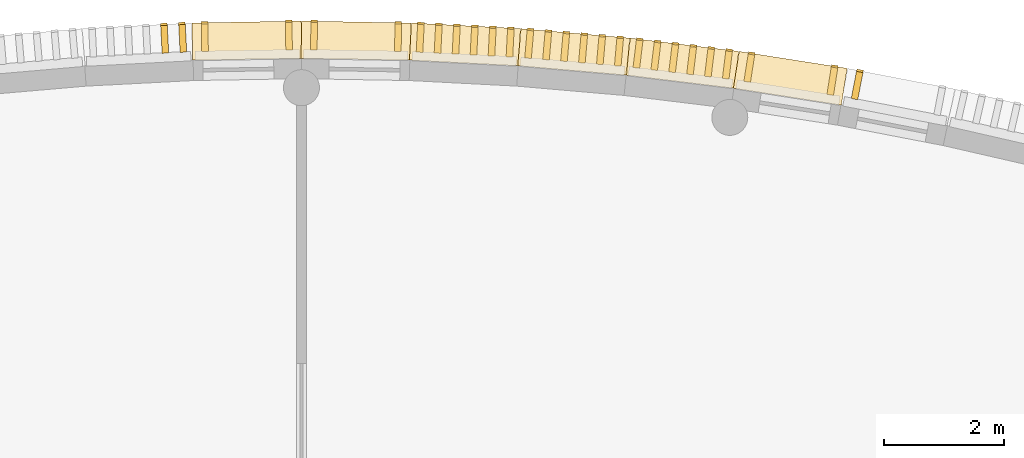
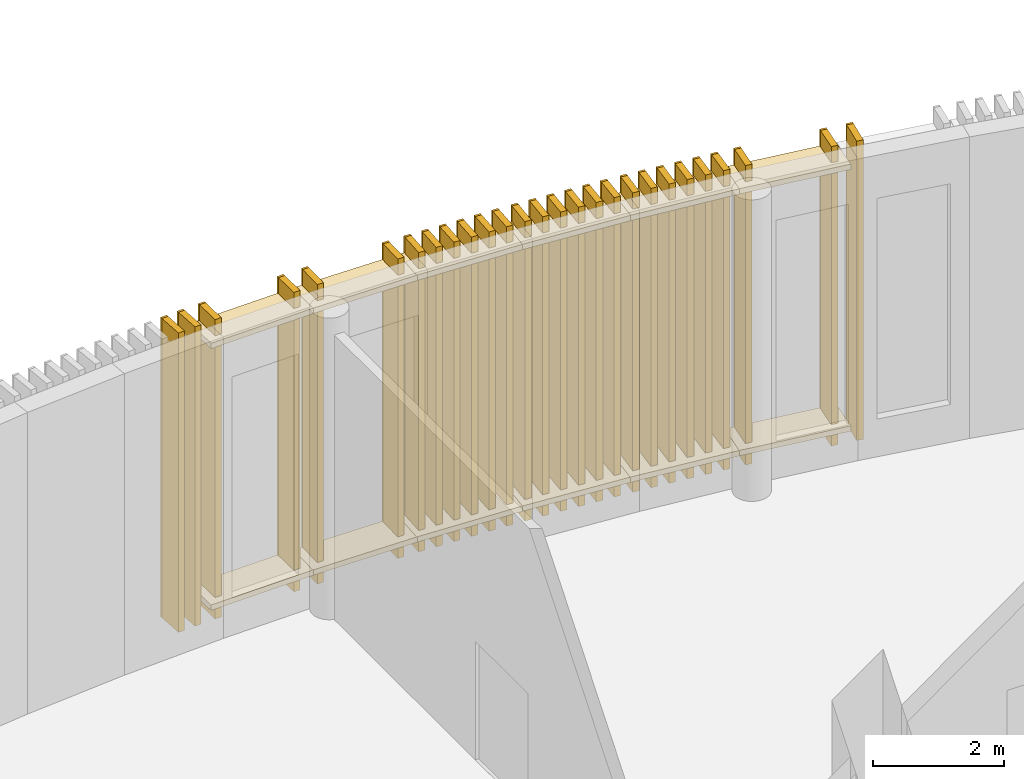
# One storey, part 73 of 80: 39 coverings, 27 shading devices.
"""IFC4 building model written with IfcOpenShell, lengths in metres."""

from ifc_helpers import new_model, si_unit, direction, frame, origin, origin_2d, place, context, subcontext, project, spatial, rectangle, extrude, material, layer, layer_set, type_object, element, save


model = new_model("IFC4")

# Units and contexts
model_context = context("Model", 3, precision=1e-05, world=origin(), true_north=direction((0.0, 1.0)))
body_context = subcontext(model_context, "Body", "Model", "MODEL_VIEW")
ifc_project = project(units=[si_unit("LENGTHUNIT", "METRE"), si_unit("AREAUNIT", "SQUARE_METRE"), si_unit("VOLUMEUNIT", "CUBIC_METRE"), si_unit("PLANEANGLEUNIT", "RADIAN"), si_unit("MASSUNIT", "GRAM", prefix="KILO")], contexts=[model_context])

# Site, building, storey
site_placement = place(None, origin())
site = spatial("IfcSite", under=ifc_project, at=site_placement, CompositionType="ELEMENT")
building_placement = place(site_placement, origin())
building = spatial("IfcBuilding", under=site, at=building_placement, Name="Sardonyx Promenade Sports Hall", CompositionType="ELEMENT")
storey_placement = place(building_placement, frame((0.0, 0.0, 5.60009765625)))
storey = spatial("IfcBuildingStorey", under=building, at=storey_placement, Name="L01", CompositionType="ELEMENT", Elevation=5.60009765625)

# Coverings
ifc_material_1 = material(Name="Glulam GL28h", Category="wood")
ifc_layer = layer(ifc_material_1, 0.110107421875)
ifc_layer_set = layer_set([ifc_layer], Name="Cov_Louvre_GL28h")
covering_type = type_object("IfcCoveringType", Name="Cov_Louvre_GL28h", PredefinedType="MOLDING", material=ifc_layer_set)
for number, where, z_axis, x_axis, name in (
    (1, (51.7099609375, 115.934326171875, 0.019775390625), (0.0, 0.0, 1.0), (0.998652184976, 0.051901959917, 0.0), "Timber louvre nose molding L01 CH13 #5"),
    (2, (52.009521484375, 115.949951171875, 0.019775390625), (0.0, 0.0, 1.0), (0.998652184976, 0.051901959917, 0.0), "Timber louvre nose molding L01 CH13 #6"),
):
    element("IfcCovering", number, at=place(storey_placement, frame(where, z_axis=z_axis, x_axis=x_axis)), inside=storey, type_object=covering_type, Name=name, PredefinedType="MOLDING", context=body_context, shape_type="SweptSolid", body=[
        extrude(rectangle(XDim=0.110107421875, YDim=0.0400390625, at=origin_2d()), origin(), (0.0, 0.0, 1.0), 5.56005859375),
    ])
for number, where, z_axis, x_axis, name in (
    (3, (53.091796875, 115.664306640625, 0.31982421875), (0.0, 0.0, 1.0), (0.999850212862, 0.01730756599, 0.0), "Bowed louvre carrier rail L01 CH14 #1"),
    (4, (53.091796875, 115.664306640625, 5.179931640625), (0.0, 0.0, 1.0), (0.999850212862, 0.01730756599, 0.0), "Bowed louvre carrier rail L01 CH14 #2"),
):
    element("IfcCovering", number, at=place(storey_placement, frame(where, z_axis=z_axis, x_axis=x_axis)), inside=storey, type_object=covering_type, Name=name, PredefinedType="MOLDING", context=body_context, shape_type="SweptSolid", body=[
        extrude(rectangle(XDim=1.820068359375, YDim=0.6201171875, at=origin_2d()), origin(), (0.0, 0.0, 1.0), 0.10009765625),
    ])
for number, where, z_axis, x_axis, name in (
    (5, (52.386474609375, 115.962158203125, 0.019775390625), (0.0, 0.0, 1.0), (0.999850212862, 0.01730756599, 0.0), "Timber louvre nose molding L01 CH14 #1"),
    (6, (53.786376953125, 115.986328125, 0.019775390625), (0.0, 0.0, 1.0), (0.999850212862, 0.01730756599, 0.0), "Timber louvre nose molding L01 CH14 #2"),
):
    element("IfcCovering", number, at=place(storey_placement, frame(where, z_axis=z_axis, x_axis=x_axis)), inside=storey, type_object=covering_type, Name=name, PredefinedType="MOLDING", context=body_context, shape_type="SweptSolid", body=[
        extrude(rectangle(XDim=0.110107421875, YDim=0.0400390625, at=origin_2d()), origin(), (0.0, 0.0, 1.0), 5.56005859375),
    ])
for number, where, z_axis, x_axis, name in (
    (7, (54.908203125, 115.664306640625, 0.31982421875), (0.0, 0.0, 1.0), (0.999850212862, -0.01730756599, 0.0), "Bowed louvre carrier rail L01 CH15 #1"),
    (8, (54.908203125, 115.664306640625, 5.179931640625), (0.0, 0.0, 1.0), (0.999850212862, -0.01730756599, 0.0), "Bowed louvre carrier rail L01 CH15 #2"),
):
    element("IfcCovering", number, at=place(storey_placement, frame(where, z_axis=z_axis, x_axis=x_axis)), inside=storey, type_object=covering_type, Name=name, PredefinedType="MOLDING", context=body_context, shape_type="SweptSolid", body=[
        extrude(rectangle(XDim=1.820068359375, YDim=0.6201171875, at=origin_2d()), origin(), (0.0, 0.0, 1.0), 0.10009765625),
    ])
for number, where, z_axis, x_axis, name in (
    (9, (54.213623046875, 115.986328125, 0.019775390625), (0.0, 0.0, 1.0), (0.999850212862, -0.01730756599, 0.0), "Timber louvre nose molding L01 CH15 #1"),
    (10, (55.613525390625, 115.962158203125, 0.019775390625), (0.0, 0.0, 1.0), (0.999850212862, -0.01730756599, 0.0), "Timber louvre nose molding L01 CH15 #2"),
):
    element("IfcCovering", number, at=place(storey_placement, frame(where, z_axis=z_axis, x_axis=x_axis)), inside=storey, type_object=covering_type, Name=name, PredefinedType="MOLDING", context=body_context, shape_type="SweptSolid", body=[
        extrude(rectangle(XDim=0.110107421875, YDim=0.0400390625, at=origin_2d()), origin(), (0.0, 0.0, 1.0), 5.56005859375),
    ])
for number, where, z_axis, x_axis, name in (
    (11, (56.723388671875, 115.6015625, 0.31982421875), (0.0, 0.0, 1.0), (0.998652184976, -0.051901959917, 0.0), "Bowed louvre carrier rail L01 CH16 #1"),
    (12, (56.723388671875, 115.6015625, 5.179931640625), (0.0, 0.0, 1.0), (0.998652184976, -0.051901959917, 0.0), "Bowed louvre carrier rail L01 CH16 #2"),
):
    element("IfcCovering", number, at=place(storey_placement, frame(where, z_axis=z_axis, x_axis=x_axis)), inside=storey, type_object=covering_type, Name=name, PredefinedType="MOLDING", context=body_context, shape_type="SweptSolid", body=[
        extrude(rectangle(XDim=1.820068359375, YDim=0.6201171875, at=origin_2d()), origin(), (0.0, 0.0, 1.0), 0.10009765625),
    ])
for number, where, z_axis, x_axis, name in (
    (13, (55.990478515625, 115.949951171875, 0.019775390625), (0.0, 0.0, 1.0), (0.998652184976, -0.051901959917, 0.0), "Timber louvre nose molding L01 CH16 #1"),
    (14, (56.2900390625, 115.934326171875, 0.019775390625), (0.0, 0.0, 1.0), (0.998652184976, -0.051901959917, 0.0), "Timber louvre nose molding L01 CH16 #2"),
    (15, (56.58984375, 115.9189453125, 0.019775390625), (0.0, 0.0, 1.0), (0.998652184976, -0.051901959917, 0.0), "Timber louvre nose molding L01 CH16 #3"),
    (16, (56.889404296875, 115.9033203125, 0.019775390625), (0.0, 0.0, 1.0), (0.998652184976, -0.051901959917, 0.0), "Timber louvre nose molding L01 CH16 #4"),
    (17, (57.18896484375, 115.8876953125, 0.019775390625), (0.0, 0.0, 1.0), (0.998652184976, -0.051901959917, 0.0), "Timber louvre nose molding L01 CH16 #5"),
    (18, (57.488525390625, 115.8720703125, 0.019775390625), (0.0, 0.0, 1.0), (0.998652184976, -0.051901959917, 0.0), "Timber louvre nose molding L01 CH16 #6"),
):
    element("IfcCovering", number, at=place(storey_placement, frame(where, z_axis=z_axis, x_axis=x_axis)), inside=storey, type_object=covering_type, Name=name, PredefinedType="MOLDING", context=body_context, shape_type="SweptSolid", body=[
        extrude(rectangle(XDim=0.110107421875, YDim=0.0400390625, at=origin_2d()), origin(), (0.0, 0.0, 1.0), 5.56005859375),
    ])
for number, where, z_axis, x_axis, name in (
    (19, (58.535400390625, 115.475830078125, 0.31982421875), (0.0, 0.0, 1.0), (0.99625756469, -0.086434164533, 0.0), "Bowed louvre carrier rail L01 CH17 #1"),
    (20, (58.535400390625, 115.475830078125, 5.179931640625), (0.0, 0.0, 1.0), (0.99625756469, -0.086434164533, 0.0), "Bowed louvre carrier rail L01 CH17 #2"),
):
    element("IfcCovering", number, at=place(storey_placement, frame(where, z_axis=z_axis, x_axis=x_axis)), inside=storey, type_object=covering_type, Name=name, PredefinedType="MOLDING", context=body_context, shape_type="SweptSolid", body=[
        extrude(rectangle(XDim=1.820068359375, YDim=0.6201171875, at=origin_2d()), origin(), (0.0, 0.0, 1.0), 0.10009765625),
    ])
for number, where, z_axis, x_axis, name in (
    (21, (57.81494140625, 115.849609375, 0.019775390625), (0.0, 0.0, 1.0), (0.99625756469, -0.086434164533, 0.0), "Timber louvre nose molding L01 CH17 #1"),
    (22, (58.114013671875, 115.823486328125, 0.019775390625), (0.0, 0.0, 1.0), (0.99625756469, -0.086434164533, 0.0), "Timber louvre nose molding L01 CH17 #2"),
    (23, (58.412841796875, 115.797607421875, 0.019775390625), (0.0, 0.0, 1.0), (0.99625756469, -0.086434164533, 0.0), "Timber louvre nose molding L01 CH17 #3"),
    (24, (58.711669921875, 115.771728515625, 0.019775390625), (0.0, 0.0, 1.0), (0.99625756469, -0.086434164533, 0.0), "Timber louvre nose molding L01 CH17 #4"),
    (25, (59.010498046875, 115.745849609375, 0.019775390625), (0.0, 0.0, 1.0), (0.99625756469, -0.086434164533, 0.0), "Timber louvre nose molding L01 CH17 #5"),
    (26, (59.309326171875, 115.7197265625, 0.019775390625), (0.0, 0.0, 1.0), (0.99625756469, -0.086434164533, 0.0), "Timber louvre nose molding L01 CH17 #6"),
):
    element("IfcCovering", number, at=place(storey_placement, frame(where, z_axis=z_axis, x_axis=x_axis)), inside=storey, type_object=covering_type, Name=name, PredefinedType="MOLDING", context=body_context, shape_type="SweptSolid", body=[
        extrude(rectangle(XDim=0.110107421875, YDim=0.0400390625, at=origin_2d()), origin(), (0.0, 0.0, 1.0), 5.56005859375),
    ])
for number, where, z_axis, x_axis, name in (
    (27, (60.342041015625, 115.28759765625, 0.31982421875), (0.0, 0.0, 1.0), (0.992669221255, -0.120862803098, 0.0), "Bowed louvre carrier rail L01 CH18 #1"),
    (28, (60.342041015625, 115.28759765625, 5.179931640625), (0.0, 0.0, 1.0), (0.992669221255, -0.120862803098, 0.0), "Bowed louvre carrier rail L01 CH18 #2"),
):
    element("IfcCovering", number, at=place(storey_placement, frame(where, z_axis=z_axis, x_axis=x_axis)), inside=storey, type_object=covering_type, Name=name, PredefinedType="MOLDING", context=body_context, shape_type="SweptSolid", body=[
        extrude(rectangle(XDim=1.820068359375, YDim=0.6201171875, at=origin_2d()), origin(), (0.0, 0.0, 1.0), 0.10009765625),
    ])
for number, where, z_axis, x_axis, name in (
    (29, (59.635009765625, 115.68603515625, 0.019775390625), (0.0, 0.0, 1.0), (0.992669221255, -0.120862803098, 0.0), "Timber louvre nose molding L01 CH18 #1"),
    (30, (59.932861328125, 115.649658203125, 0.019775390625), (0.0, 0.0, 1.0), (0.992669221255, -0.120862803098, 0.0), "Timber louvre nose molding L01 CH18 #2"),
    (31, (60.23046875, 115.61328125, 0.019775390625), (0.0, 0.0, 1.0), (0.992669221255, -0.120862803098, 0.0), "Timber louvre nose molding L01 CH18 #3"),
    (32, (60.5283203125, 115.5771484375, 0.019775390625), (0.0, 0.0, 1.0), (0.992669221255, -0.120862803098, 0.0), "Timber louvre nose molding L01 CH18 #4"),
    (33, (60.826171875, 115.540771484375, 0.019775390625), (0.0, 0.0, 1.0), (0.992669221255, -0.120862803098, 0.0), "Timber louvre nose molding L01 CH18 #5"),
    (34, (61.1240234375, 115.504638671875, 0.019775390625), (0.0, 0.0, 1.0), (0.992669221255, -0.120862803098, 0.0), "Timber louvre nose molding L01 CH18 #6"),
):
    element("IfcCovering", number, at=place(storey_placement, frame(where, z_axis=z_axis, x_axis=x_axis)), inside=storey, type_object=covering_type, Name=name, PredefinedType="MOLDING", context=body_context, shape_type="SweptSolid", body=[
        extrude(rectangle(XDim=0.110107421875, YDim=0.0400390625, at=origin_2d()), origin(), (0.0, 0.0, 1.0), 5.56005859375),
    ])
for number, where, z_axis, x_axis, name in (
    (35, (62.140869140625, 115.036865234375, 0.31982421875), (0.0, 0.0, 1.0), (0.987891183468, -0.155148347157, 0.0), "Bowed louvre carrier rail L01 CH19 #1"),
    (36, (62.140869140625, 115.036865234375, 5.179931640625), (0.0, 0.0, 1.0), (0.987891183468, -0.155148347157, 0.0), "Bowed louvre carrier rail L01 CH19 #2"),
):
    element("IfcCovering", number, at=place(storey_placement, frame(where, z_axis=z_axis, x_axis=x_axis)), inside=storey, type_object=covering_type, Name=name, PredefinedType="MOLDING", context=body_context, shape_type="SweptSolid", body=[
        extrude(rectangle(XDim=1.820068359375, YDim=0.6201171875, at=origin_2d()), origin(), (0.0, 0.0, 1.0), 0.10009765625),
    ])
for number, where, z_axis, x_axis, name in (
    (37, (61.49755859375, 115.45166015625, 0.019775390625), (0.0, 0.0, 1.0), (0.987891183468, -0.155148347157, 0.0), "Timber louvre nose molding L01 CH19 #1"),
    (38, (62.880615234375, 115.234375, 0.019775390625), (0.0, 0.0, 1.0), (0.987891183468, -0.155148347157, 0.0), "Timber louvre nose molding L01 CH19 #2"),
    (39, (63.301513671875, 115.160888671875, 0.019775390625), (0.0, 0.0, 1.0), (0.981929658139, -0.18924625879, 0.0), "Timber louvre nose molding L01 CH20 #1"),
):
    element("IfcCovering", number, at=place(storey_placement, frame(where, z_axis=z_axis, x_axis=x_axis)), inside=storey, type_object=covering_type, Name=name, PredefinedType="MOLDING", context=body_context, shape_type="SweptSolid", body=[
        extrude(rectangle(XDim=0.110107421875, YDim=0.0400390625, at=origin_2d()), origin(), (0.0, 0.0, 1.0), 5.56005859375),
    ])

# Shading devices
ifc_material_2 = material(Name="Glulam GL28h", Category="wood")
shading_device_type_1 = type_object("IfcShadingDeviceType", Name="Shade_Fin_GL28h", PredefinedType="USERDEFINED", material=ifc_material_2)
for number, where, z_axis, x_axis, name in (
    (40, (52.390894, 115.712227, 0.019902), (0.0, 0.0, 1.0), (0.99985021, 0.01730757, 0.0), "Timber fin TF01 L01 CH14 #1"),
    (41, (53.790684, 115.736458, 0.019902), (0.0, 0.0, 1.0), (0.99985021, 0.01730757, 0.0), "Timber fin TF01 L01 CH14 #2"),
    (42, (54.209316, 115.736458, 0.019902), (0.0, 0.0, 1.0), (0.99985021, -0.01730757, 0.0), "Timber fin TF01 L01 CH15 #1"),
    (43, (55.609107, 115.712227, 0.019902), (0.0, 0.0, 1.0), (0.99985021, -0.01730757, 0.0), "Timber fin TF01 L01 CH15 #2"),
    (44, (61.45873, 115.204717, 0.019902), (0.0, 0.0, 1.0), (0.98789118, -0.15514835, 0.0), "Timber fin TF01 L01 CH19 #1"),
    (45, (62.841778, 114.98751, 0.019902), (0.0, 0.0, 1.0), (0.98789118, -0.15514835, 0.0), "Timber fin TF01 L01 CH19 #2"),
    (46, (63.254156, 114.915412, 0.019902), (0.0, 0.0, 1.0), (0.98192966, -0.18924626, 0.0), "Timber fin TF01 L01 CH20 #1"),
):
    element("IfcShadingDevice", number, at=place(storey_placement, frame(where, z_axis=z_axis, x_axis=x_axis)), inside=storey, type_object=shading_device_type_1, material=ifc_material_2, Name=name, ObjectType="FIN", PredefinedType="USERDEFINED", context=body_context, shape_type="SweptSolid", body=[
        extrude(rectangle(XDim=0.11, YDim=0.46), origin(), (0.0, 0.0, 1.0), 5.56),
    ])
shading_device_type_2 = type_object("IfcShadingDeviceType", Name="Shade_Louvre_GL28h", PredefinedType="USERDEFINED", material=ifc_material_2)
for number, where, z_axis, x_axis, name in (
    (47, (51.722849, 115.684762, 0.019902), (0.0, 0.0, 1.0), (0.99865218, 0.05190196, 0.0), "Timber louvre TL01 L01 CH13 #5"),
    (48, (52.022445, 115.700333, 0.019902), (0.0, 0.0, 1.0), (0.99865218, 0.05190196, 0.0), "Timber louvre TL01 L01 CH13 #6"),
    (49, (55.977555, 115.700333, 0.019902), (0.0, 0.0, 1.0), (0.99865218, -0.05190196, 0.0), "Timber louvre TL01 L01 CH16 #1"),
    (50, (56.277151, 115.684762, 0.019902), (0.0, 0.0, 1.0), (0.99865218, -0.05190196, 0.0), "Timber louvre TL01 L01 CH16 #2"),
    (51, (56.576746, 115.669192, 0.019902), (0.0, 0.0, 1.0), (0.99865218, -0.05190196, 0.0), "Timber louvre TL01 L01 CH16 #3"),
    (52, (56.876342, 115.653621, 0.019902), (0.0, 0.0, 1.0), (0.99865218, -0.05190196, 0.0), "Timber louvre TL01 L01 CH16 #4"),
    (53, (57.175938, 115.63805, 0.019902), (0.0, 0.0, 1.0), (0.99865218, -0.05190196, 0.0), "Timber louvre TL01 L01 CH16 #5"),
    (54, (57.475533, 115.62248, 0.019902), (0.0, 0.0, 1.0), (0.99865218, -0.05190196, 0.0), "Timber louvre TL01 L01 CH16 #6"),
    (55, (57.793418, 115.600436, 0.019902), (0.0, 0.0, 1.0), (0.99625756, -0.08643416, 0.0), "Timber louvre TL01 L01 CH17 #1"),
    (56, (58.092295, 115.574505, 0.019902), (0.0, 0.0, 1.0), (0.99625756, -0.08643416, 0.0), "Timber louvre TL01 L01 CH17 #2"),
    (57, (58.391172, 115.548575, 0.019902), (0.0, 0.0, 1.0), (0.99625756, -0.08643416, 0.0), "Timber louvre TL01 L01 CH17 #3"),
    (58, (58.690049, 115.522644, 0.019902), (0.0, 0.0, 1.0), (0.99625756, -0.08643416, 0.0), "Timber louvre TL01 L01 CH17 #4"),
    (59, (58.988927, 115.496714, 0.019902), (0.0, 0.0, 1.0), (0.99625756, -0.08643416, 0.0), "Timber louvre TL01 L01 CH17 #5"),
    (60, (59.287804, 115.470783, 0.019902), (0.0, 0.0, 1.0), (0.99625756, -0.08643416, 0.0), "Timber louvre TL01 L01 CH17 #6"),
    (61, (59.604735, 115.437751, 0.019902), (0.0, 0.0, 1.0), (0.99266922, -0.1208628, 0.0), "Timber louvre TL01 L01 CH18 #1"),
    (62, (59.902535, 115.401492, 0.019902), (0.0, 0.0, 1.0), (0.99266922, -0.1208628, 0.0), "Timber louvre TL01 L01 CH18 #2"),
    (63, (60.200336, 115.365233, 0.019902), (0.0, 0.0, 1.0), (0.99266922, -0.1208628, 0.0), "Timber louvre TL01 L01 CH18 #3"),
    (64, (60.498137, 115.328974, 0.019902), (0.0, 0.0, 1.0), (0.99266922, -0.1208628, 0.0), "Timber louvre TL01 L01 CH18 #4"),
    (65, (60.795938, 115.292715, 0.019902), (0.0, 0.0, 1.0), (0.99266922, -0.1208628, 0.0), "Timber louvre TL01 L01 CH18 #5"),
    (66, (61.093738, 115.256456, 0.019902), (0.0, 0.0, 1.0), (0.99266922, -0.1208628, 0.0), "Timber louvre TL01 L01 CH18 #6"),
):
    element("IfcShadingDevice", number, at=place(storey_placement, frame(where, z_axis=z_axis, x_axis=x_axis)), inside=storey, type_object=shading_device_type_2, material=ifc_material_2, Name=name, ObjectType="LOUVRE", PredefinedType="USERDEFINED", context=body_context, shape_type="SweptSolid", body=[
        extrude(rectangle(XDim=0.11, YDim=0.46), origin(), (0.0, 0.0, 1.0), 5.56),
    ])

save(model, "model.ifc")
